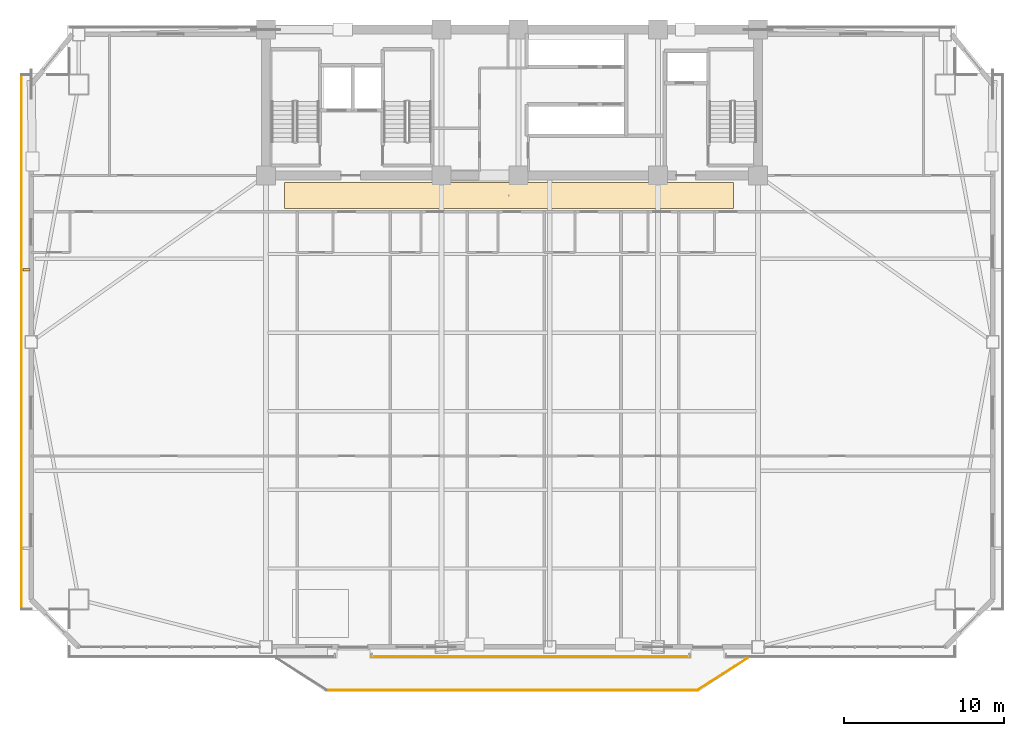
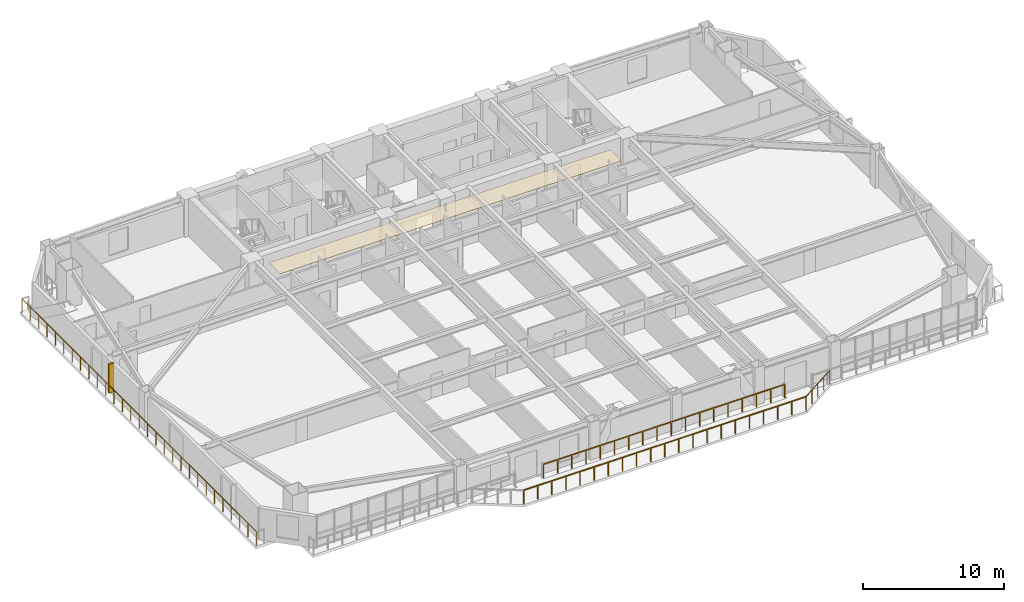
# One storey, part 14 of 17: 4 railings, 1 covering, 1 shading device.
"""IFC4 building model written with IfcOpenShell, lengths in metres."""

from ifc_helpers import new_model, si_unit, direction, frame, origin, origin_2d, place, context, subcontext, project, spatial, polyline, rectangle, outline, extrude, source, transform, mapped, material, layer, layer_set, type_object, element, save


model = new_model("IFC4")

# Units and contexts
model_context = context("Model", 3, precision=1e-05, world=origin(), true_north=direction((0.0, 1.0)))
body_context = subcontext(model_context, "Body", "Model", "MODEL_VIEW")
ifc_project = project(units=[si_unit("LENGTHUNIT", "METRE"), si_unit("AREAUNIT", "SQUARE_METRE"), si_unit("VOLUMEUNIT", "CUBIC_METRE"), si_unit("PLANEANGLEUNIT", "RADIAN"), si_unit("MASSUNIT", "GRAM", prefix="KILO")], contexts=[model_context])

# Site, building, storey
site_placement = place(None, origin())
site = spatial("IfcSite", under=ifc_project, at=site_placement, CompositionType="ELEMENT")
building_placement = place(site_placement, origin())
building = spatial("IfcBuilding", under=site, at=building_placement, Name="Giltprow Tower", CompositionType="ELEMENT")
storey_placement = place(building_placement, frame((0.0, 0.0, 137.699951171875)))
storey = spatial("IfcBuildingStorey", under=building, at=storey_placement, Name="L33", CompositionType="ELEMENT", Elevation=137.699951171875)

# Covering
ifc_material_1 = material(Name="Painted gypsum board", Category="gypsum")
ifc_layer = layer(ifc_material_1, 0.030029296875, Name="Painted gypsum board")
ifc_layer_set = layer_set([ifc_layer], Name="Painted gypsum board")
covering_type = type_object("IfcCoveringType", Name="COV-CLG-GYPSUM", PredefinedType="CEILING", material=ifc_layer_set)
covering_placement = place(storey_placement, frame((0.0, 0.0, 2.6201171875)))
element("IfcCovering", 1, at=covering_placement, inside=storey, type_object=covering_type, Name="L33 Hotel Corridor Gypsum Ceiling", PredefinedType="CEILING", context=body_context, shape_type="SweptSolid", body=[
    extrude(outline(polyline([(21.0, 35.39990234375), (49.0, 35.39990234375), (49.0, 37.0), (21.0, 37.0), (21.0, 35.39990234375)])), origin(), (0.0, 0.0, 1.0), 0.030029296875),
])

# Railings
ifc_material_2 = material(Name="Anodized bronze", Category="metal")
railing_type = type_object("IfcRailingType", Name="RAIL-BALC-GUARD-1200", PredefinedType="BALUSTRADE", material=ifc_material_2)
railing_1_placement = place(storey_placement, frame((23.6201171875, 5.364990234375, 0.0)))
element("IfcRailing", 2, at=railing_1_placement, inside=storey, type_object=railing_type, Name="L33 Waterfront Balcony Balustrade Seg 2", PredefinedType="BALUSTRADE", context=body_context, shape_type="SweptSolid", body=[
    extrude(rectangle(XDim=0.048095703125, YDim=0.048095703125, at=origin_2d()), frame((0.0, 0.0, 1.17578125), z_axis=(1.0, 0.0, 0.0), x_axis=(0.0, 1.0, 0.0)), (0.0, 0.0, 1.0), 23.159912109375),
    extrude(rectangle(XDim=0.0419921875, YDim=0.0419921875, at=origin_2d()), origin(), (0.0, 0.0, 1.0), 1.15185546875),
    extrude(rectangle(XDim=0.0419921875, YDim=0.0419921875, at=origin_2d()), frame((1.157958984375, 0.0, 0.0)), (0.0, 0.0, 1.0), 1.15185546875),
    extrude(rectangle(XDim=0.0419921875, YDim=0.0419921875, at=origin_2d()), frame((2.31591796875, 0.0, 0.0)), (0.0, 0.0, 1.0), 1.15185546875),
    extrude(rectangle(XDim=0.0419921875, YDim=0.0419921875, at=origin_2d()), frame((3.473876953125, 0.0, 0.0)), (0.0, 0.0, 1.0), 1.15185546875),
    extrude(rectangle(XDim=0.0419921875, YDim=0.0419921875, at=origin_2d()), frame((4.632080078125, 0.0, 0.0)), (0.0, 0.0, 1.0), 1.15185546875),
    extrude(rectangle(XDim=0.0419921875, YDim=0.0419921875, at=origin_2d()), frame((5.7900390625, 0.0, 0.0)), (0.0, 0.0, 1.0), 1.15185546875),
    extrude(rectangle(XDim=0.0419921875, YDim=0.0419921875, at=origin_2d()), frame((6.947998046875, 0.0, 0.0)), (0.0, 0.0, 1.0), 1.15185546875),
    extrude(rectangle(XDim=0.0419921875, YDim=0.0419921875, at=origin_2d()), frame((8.10595703125, 0.0, 0.0)), (0.0, 0.0, 1.0), 1.15185546875),
    extrude(rectangle(XDim=0.0419921875, YDim=0.0419921875, at=origin_2d()), frame((9.263916015625, 0.0, 0.0)), (0.0, 0.0, 1.0), 1.15185546875),
    extrude(rectangle(XDim=0.0419921875, YDim=0.0419921875, at=origin_2d()), frame((10.421875, 0.0, 0.0)), (0.0, 0.0, 1.0), 1.15185546875),
    extrude(rectangle(XDim=0.0419921875, YDim=0.0419921875, at=origin_2d()), frame((11.580078125, 0.0, 0.0)), (0.0, 0.0, 1.0), 1.15185546875),
    extrude(rectangle(XDim=0.0419921875, YDim=0.0419921875, at=origin_2d()), frame((12.738037109375, 0.0, 0.0)), (0.0, 0.0, 1.0), 1.15185546875),
    extrude(rectangle(XDim=0.0419921875, YDim=0.0419921875, at=origin_2d()), frame((13.89599609375, 0.0, 0.0)), (0.0, 0.0, 1.0), 1.15185546875),
    extrude(rectangle(XDim=0.0419921875, YDim=0.0419921875, at=origin_2d()), frame((15.053955078125, 0.0, 0.0)), (0.0, 0.0, 1.0), 1.15185546875),
    extrude(rectangle(XDim=0.0419921875, YDim=0.0419921875, at=origin_2d()), frame((16.2119140625, 0.0, 0.0)), (0.0, 0.0, 1.0), 1.15185546875),
    extrude(rectangle(XDim=0.0419921875, YDim=0.0419921875, at=origin_2d()), frame((17.369873046875, 0.0, 0.0)), (0.0, 0.0, 1.0), 1.15185546875),
    extrude(rectangle(XDim=0.0419921875, YDim=0.0419921875, at=origin_2d()), frame((18.52783203125, 0.0, 0.0)), (0.0, 0.0, 1.0), 1.15185546875),
    extrude(rectangle(XDim=0.0419921875, YDim=0.0419921875, at=origin_2d()), frame((19.68603515625, 0.0, 0.0)), (0.0, 0.0, 1.0), 1.15185546875),
    extrude(rectangle(XDim=0.0419921875, YDim=0.0419921875, at=origin_2d()), frame((20.843994140625, 0.0, 0.0)), (0.0, 0.0, 1.0), 1.15185546875),
    extrude(rectangle(XDim=0.0419921875, YDim=0.0419921875, at=origin_2d()), frame((22.001953125, 0.0, 0.0)), (0.0, 0.0, 1.0), 1.15185546875),
    extrude(rectangle(XDim=0.0419921875, YDim=0.0419921875, at=origin_2d()), frame((23.159912109375, 0.0, 0.0)), (0.0, 0.0, 1.0), 1.15185546875),
])
railing_2_placement = place(storey_placement, frame((46.780029296875, 5.364990234375, 0.0)))
element("IfcRailing", 3, at=railing_2_placement, inside=storey, type_object=railing_type, Name="L33 Waterfront Balcony Balustrade Seg 3", PredefinedType="BALUSTRADE", context=body_context, shape_type="SweptSolid", body=[
    extrude(rectangle(XDim=0.048095703125, YDim=0.048095703125, at=origin_2d()), frame((0.0, 0.0, 1.17578125), z_axis=(0.842755646126, 0.538296313309, 0.0), x_axis=(-0.538296313309, 0.842755646126, 0.0)), (0.0, 0.0, 1.0), 3.67822265625),
    extrude(rectangle(XDim=0.0419921875, YDim=0.0419921875, at=origin_2d()), origin(), (0.0, 0.0, 1.0), 1.15185546875),
    extrude(rectangle(XDim=0.0419921875, YDim=0.0419921875, at=origin_2d()), frame((0.77490234375, 0.4951171875, 0.0)), (0.0, 0.0, 1.0), 1.15185546875),
    extrude(rectangle(XDim=0.0419921875, YDim=0.0419921875, at=origin_2d()), frame((1.5498046875, 0.989990234375, 0.0)), (0.0, 0.0, 1.0), 1.15185546875),
    extrude(rectangle(XDim=0.0419921875, YDim=0.0419921875, at=origin_2d()), frame((2.324951171875, 1.48486328125, 0.0)), (0.0, 0.0, 1.0), 1.15185546875),
    extrude(rectangle(XDim=0.0419921875, YDim=0.0419921875, at=origin_2d()), frame((3.099853515625, 1.97998046875, 0.0)), (0.0, 0.0, 1.0), 1.15185546875),
])
railing_3_placement = place(storey_placement, frame((4.614013671875, 10.408935546875, 0.0)))
element("IfcRailing", 4, at=railing_3_placement, inside=storey, type_object=railing_type, Name="L33 Corner Apron Edge Balustrade 5", PredefinedType="BALUSTRADE", context=body_context, shape_type="SweptSolid", body=[
    extrude(rectangle(XDim=0.048095703125, YDim=0.048095703125, at=origin_2d()), frame((0.0, 0.0, 1.17578125), z_axis=(0.0, 1.0, 0.0), x_axis=(-1.0, 0.0, 0.0)), (0.0, 0.0, 1.0), 33.324951171875),
    extrude(rectangle(XDim=0.0419921875, YDim=0.0419921875, at=origin_2d()), origin(), (0.0, 0.0, 1.0), 1.15185546875),
    extrude(rectangle(XDim=0.0419921875, YDim=0.0419921875, at=origin_2d()), frame((0.0, 1.190185546875, 0.0)), (0.0, 0.0, 1.0), 1.15185546875),
    extrude(rectangle(XDim=0.0419921875, YDim=0.0419921875, at=origin_2d()), frame((0.0, 2.38037109375, 0.0)), (0.0, 0.0, 1.0), 1.15185546875),
    extrude(rectangle(XDim=0.0419921875, YDim=0.0419921875, at=origin_2d()), frame((0.0, 3.570556640625, 0.0)), (0.0, 0.0, 1.0), 1.15185546875),
    extrude(rectangle(XDim=0.0419921875, YDim=0.0419921875, at=origin_2d()), frame((0.0, 4.7607421875, 0.0)), (0.0, 0.0, 1.0), 1.15185546875),
    extrude(rectangle(XDim=0.0419921875, YDim=0.0419921875, at=origin_2d()), frame((0.0, 5.950927734375, 0.0)), (0.0, 0.0, 1.0), 1.15185546875),
    extrude(rectangle(XDim=0.0419921875, YDim=0.0419921875, at=origin_2d()), frame((0.0, 7.14111328125, 0.0)), (0.0, 0.0, 1.0), 1.15185546875),
    extrude(rectangle(XDim=0.0419921875, YDim=0.0419921875, at=origin_2d()), frame((0.0, 8.331298828125, 0.0)), (0.0, 0.0, 1.0), 1.15185546875),
    extrude(rectangle(XDim=0.0419921875, YDim=0.0419921875, at=origin_2d()), frame((0.0, 9.521484375, 0.0)), (0.0, 0.0, 1.0), 1.15185546875),
    extrude(rectangle(XDim=0.0419921875, YDim=0.0419921875, at=origin_2d()), frame((0.0, 10.711669921875, 0.0)), (0.0, 0.0, 1.0), 1.15185546875),
    extrude(rectangle(XDim=0.0419921875, YDim=0.0419921875, at=origin_2d()), frame((0.0, 11.90185546875, 0.0)), (0.0, 0.0, 1.0), 1.15185546875),
    extrude(rectangle(XDim=0.0419921875, YDim=0.0419921875, at=origin_2d()), frame((0.0, 13.092041015625, 0.0)), (0.0, 0.0, 1.0), 1.15185546875),
    extrude(rectangle(XDim=0.0419921875, YDim=0.0419921875, at=origin_2d()), frame((0.0, 14.2822265625, 0.0)), (0.0, 0.0, 1.0), 1.15185546875),
    extrude(rectangle(XDim=0.0419921875, YDim=0.0419921875, at=origin_2d()), frame((0.0, 15.472412109375, 0.0)), (0.0, 0.0, 1.0), 1.15185546875),
    extrude(rectangle(XDim=0.0419921875, YDim=0.0419921875, at=origin_2d()), frame((0.0, 16.66259765625, 0.0)), (0.0, 0.0, 1.0), 1.15185546875),
    extrude(rectangle(XDim=0.0419921875, YDim=0.0419921875, at=origin_2d()), frame((0.0, 17.8525390625, 0.0)), (0.0, 0.0, 1.0), 1.15185546875),
    extrude(rectangle(XDim=0.0419921875, YDim=0.0419921875, at=origin_2d()), frame((0.0, 19.042724609375, 0.0)), (0.0, 0.0, 1.0), 1.15185546875),
    extrude(rectangle(XDim=0.0419921875, YDim=0.0419921875, at=origin_2d()), frame((0.0, 20.23291015625, 0.0)), (0.0, 0.0, 1.0), 1.15185546875),
    extrude(rectangle(XDim=0.0419921875, YDim=0.0419921875, at=origin_2d()), frame((0.0, 21.423095703125, 0.0)), (0.0, 0.0, 1.0), 1.15185546875),
    extrude(rectangle(XDim=0.0419921875, YDim=0.0419921875, at=origin_2d()), frame((0.0, 22.61328125, 0.0)), (0.0, 0.0, 1.0), 1.15185546875),
    extrude(rectangle(XDim=0.0419921875, YDim=0.0419921875, at=origin_2d()), frame((0.0, 23.803466796875, 0.0)), (0.0, 0.0, 1.0), 1.15185546875),
    extrude(rectangle(XDim=0.0419921875, YDim=0.0419921875, at=origin_2d()), frame((0.0, 24.99365234375, 0.0)), (0.0, 0.0, 1.0), 1.15185546875),
    extrude(rectangle(XDim=0.0419921875, YDim=0.0419921875, at=origin_2d()), frame((0.0, 26.183837890625, 0.0)), (0.0, 0.0, 1.0), 1.15185546875),
    extrude(rectangle(XDim=0.0419921875, YDim=0.0419921875, at=origin_2d()), frame((0.0, 27.3740234375, 0.0)), (0.0, 0.0, 1.0), 1.15185546875),
    extrude(rectangle(XDim=0.0419921875, YDim=0.0419921875, at=origin_2d()), frame((0.0, 28.564208984375, 0.0)), (0.0, 0.0, 1.0), 1.15185546875),
    extrude(rectangle(XDim=0.0419921875, YDim=0.0419921875, at=origin_2d()), frame((0.0, 29.75439453125, 0.0)), (0.0, 0.0, 1.0), 1.15185546875),
    extrude(rectangle(XDim=0.0419921875, YDim=0.0419921875, at=origin_2d()), frame((0.0, 30.944580078125, 0.0)), (0.0, 0.0, 1.0), 1.15185546875),
    extrude(rectangle(XDim=0.0419921875, YDim=0.0419921875, at=origin_2d()), frame((0.0, 32.134765625, 0.0)), (0.0, 0.0, 1.0), 1.15185546875),
    extrude(rectangle(XDim=0.0419921875, YDim=0.0419921875, at=origin_2d()), frame((0.0, 33.324951171875, 0.0)), (0.0, 0.0, 1.0), 1.15185546875),
])
railing_4_placement = place(storey_placement, frame((46.25, 7.445068359375, 0.0)))
element("IfcRailing", 5, at=railing_4_placement, inside=storey, type_object=railing_type, Name="L33 Corner Apron Edge Balustrade 22", PredefinedType="BALUSTRADE", context=body_context, shape_type="SweptSolid", body=[
    extrude(rectangle(XDim=0.048095703125, YDim=0.048095703125, at=origin_2d()), frame((0.0, 0.0, 1.17578125), z_axis=(-1.0, 0.0, 0.0), x_axis=(0.0, -1.0, 0.0)), (0.0, 0.0, 1.0), 19.800048828125),
    extrude(rectangle(XDim=0.0419921875, YDim=0.0419921875, at=origin_2d()), origin(), (0.0, 0.0, 1.0), 1.15185546875),
    extrude(rectangle(XDim=0.0419921875, YDim=0.0419921875, at=origin_2d()), frame((-1.164794921875, 0.0, 0.0)), (0.0, 0.0, 1.0), 1.15185546875),
    extrude(rectangle(XDim=0.0419921875, YDim=0.0419921875, at=origin_2d()), frame((-2.329345703125, 0.0, 0.0)), (0.0, 0.0, 1.0), 1.15185546875),
    extrude(rectangle(XDim=0.0419921875, YDim=0.0419921875, at=origin_2d()), frame((-3.494140625, 0.0, 0.0)), (0.0, 0.0, 1.0), 1.15185546875),
    extrude(rectangle(XDim=0.0419921875, YDim=0.0419921875, at=origin_2d()), frame((-4.658935546875, 0.0, 0.0)), (0.0, 0.0, 1.0), 1.15185546875),
    extrude(rectangle(XDim=0.0419921875, YDim=0.0419921875, at=origin_2d()), frame((-5.823486328125, 0.0, 0.0)), (0.0, 0.0, 1.0), 1.15185546875),
    extrude(rectangle(XDim=0.0419921875, YDim=0.0419921875, at=origin_2d()), frame((-6.98828125, 0.0, 0.0)), (0.0, 0.0, 1.0), 1.15185546875),
    extrude(rectangle(XDim=0.0419921875, YDim=0.0419921875, at=origin_2d()), frame((-8.153076171875, 0.0, 0.0)), (0.0, 0.0, 1.0), 1.15185546875),
    extrude(rectangle(XDim=0.0419921875, YDim=0.0419921875, at=origin_2d()), frame((-9.317626953125, 0.0, 0.0)), (0.0, 0.0, 1.0), 1.15185546875),
    extrude(rectangle(XDim=0.0419921875, YDim=0.0419921875, at=origin_2d()), frame((-10.482421875, 0.0, 0.0)), (0.0, 0.0, 1.0), 1.15185546875),
    extrude(rectangle(XDim=0.0419921875, YDim=0.0419921875, at=origin_2d()), frame((-11.64697265625, 0.0, 0.0)), (0.0, 0.0, 1.0), 1.15185546875),
    extrude(rectangle(XDim=0.0419921875, YDim=0.0419921875, at=origin_2d()), frame((-12.811767578125, 0.0, 0.0)), (0.0, 0.0, 1.0), 1.15185546875),
    extrude(rectangle(XDim=0.0419921875, YDim=0.0419921875, at=origin_2d()), frame((-13.9765625, 0.0, 0.0)), (0.0, 0.0, 1.0), 1.15185546875),
    extrude(rectangle(XDim=0.0419921875, YDim=0.0419921875, at=origin_2d()), frame((-15.14111328125, 0.0, 0.0)), (0.0, 0.0, 1.0), 1.15185546875),
    extrude(rectangle(XDim=0.0419921875, YDim=0.0419921875, at=origin_2d()), frame((-16.305908203125, 0.0, 0.0)), (0.0, 0.0, 1.0), 1.15185546875),
    extrude(rectangle(XDim=0.0419921875, YDim=0.0419921875, at=origin_2d()), frame((-17.470703125, 0.0, 0.0)), (0.0, 0.0, 1.0), 1.15185546875),
    extrude(rectangle(XDim=0.0419921875, YDim=0.0419921875, at=origin_2d()), frame((-18.63525390625, 0.0, 0.0)), (0.0, 0.0, 1.0), 1.15185546875),
    extrude(rectangle(XDim=0.0419921875, YDim=0.0419921875, at=origin_2d()), frame((-19.800048828125, 0.0, 0.0)), (0.0, 0.0, 1.0), 1.15185546875),
])

# Shading device
shading_device_type = type_object("IfcShadingDeviceType", Name="SHD-FIN-420", PredefinedType="USERDEFINED", material=ifc_material_2)
shared_shape = source(origin(), body_context, "Body", "SweptSolid", [
    extrude(rectangle(XDim=0.419921875, YDim=0.159912109375, at=origin_2d()), origin(), (0.0, 0.0, 1.0), 2.5),
])
shading_device_placement = place(storey_placement, frame((4.9140625, 31.5791015625, 0.35009765625), z_axis=(0.0, 0.0, 1.0), x_axis=(1.0, 0.0, 0.0)))
element("IfcShadingDevice", 6, at=shading_device_placement, inside=storey, type_object=shading_device_type, Name="L33 W Bronze Vertical Fin 2-1", ObjectType="FIN", PredefinedType="USERDEFINED", context=body_context, shape_type="MappedRepresentation", body=[
    mapped(shared_shape, transform((0.0, 0.0, 0.0), x_axis=(1.0, 0.0, 0.0), y_axis=(0.0, 1.0, 0.0), z_axis=(0.0, 0.0, 1.0), scale=1.0)),
])

save(model, "model.ifc")
